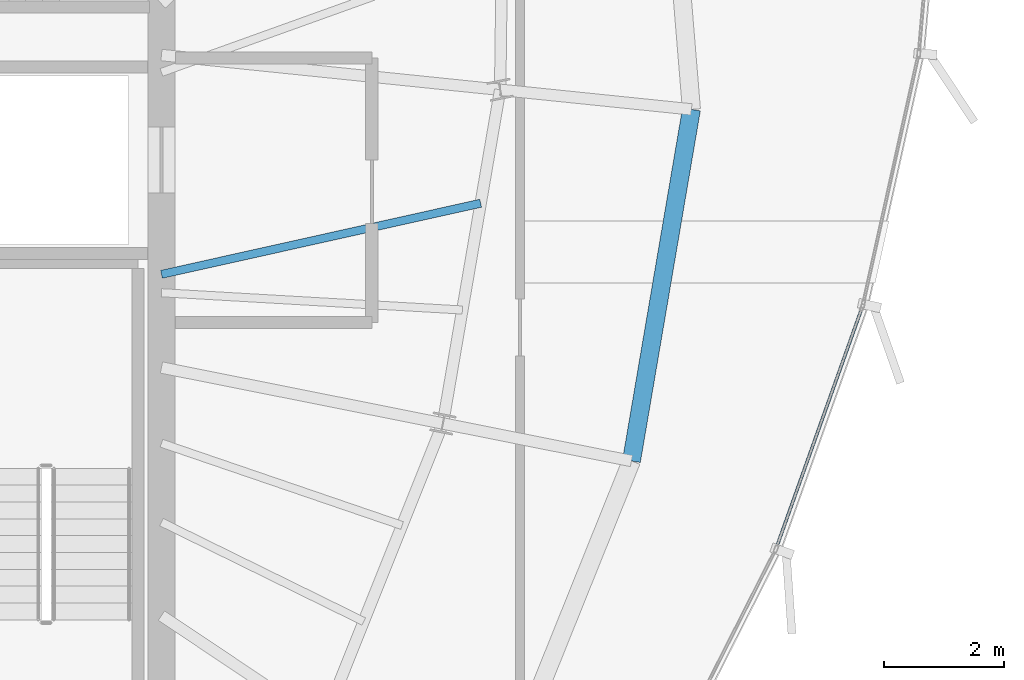
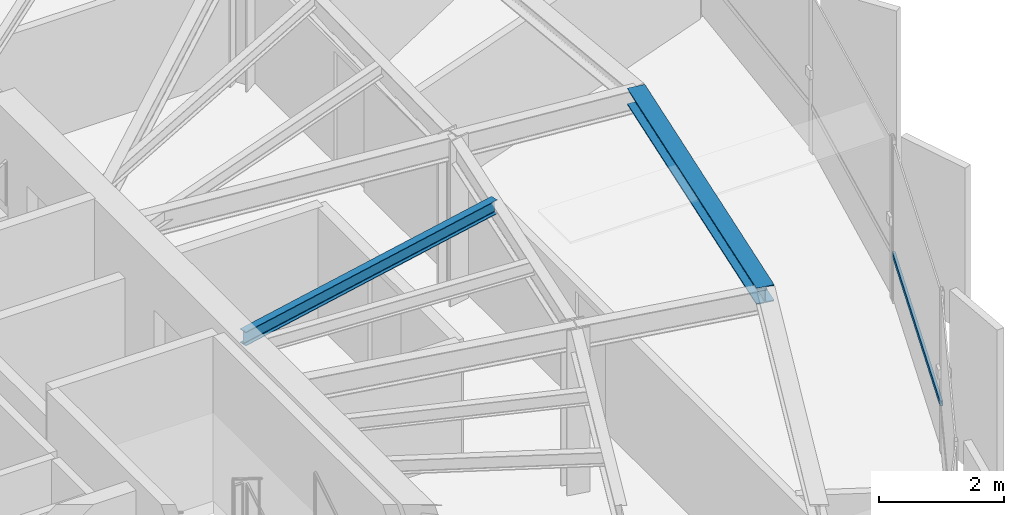
# One storey, part 15 of 36: 2 beams, 1 member, 1 element without a shape of its own.
"""IFC4 building model written with IfcOpenShell, lengths in metres."""

from ifc_helpers import new_model, si_unit, direction, frame, origin, origin_2d, place, context, subcontext, project, spatial, hollow_rectangle, i_section, extrude, source, transform, mapped, material, layer, layer_set, material_profile, profile_set, type_object, element, aggregate, save


model = new_model("IFC4")

# Units and contexts
model_context = context("Model", 3, precision=1e-05, world=origin(), true_north=direction((0.0, 1.0)))
body_context = subcontext(model_context, "Body", "Model", "MODEL_VIEW")
ifc_project = project(units=[si_unit("LENGTHUNIT", "METRE"), si_unit("AREAUNIT", "SQUARE_METRE"), si_unit("VOLUMEUNIT", "CUBIC_METRE"), si_unit("PLANEANGLEUNIT", "RADIAN"), si_unit("MASSUNIT", "GRAM", prefix="KILO"), si_unit("THERMODYNAMICTEMPERATUREUNIT", "KELVIN")], contexts=[model_context])

# Site, building, storey
site_placement = place(None, origin())
site = spatial("IfcSite", under=ifc_project, at=site_placement, CompositionType="ELEMENT")
building_placement = place(site_placement, origin())
building = spatial("IfcBuilding", under=site, at=building_placement, Name="Kethvar Cultural Tower", CompositionType="ELEMENT")
storey_placement = place(building_placement, frame((0.0, 0.0, 242.199951171875)))
storey = spatial("IfcBuildingStorey", under=building, at=storey_placement, Name="L63", CompositionType="ELEMENT", Elevation=242.199951171875)

# Beams
ifc_material_1 = material(Name="Steel S355J2", Category="steel")
ifc_material_profile_1 = material_profile(ifc_material_1, i_section(OverallWidth=0.300048828125, OverallDepth=0.320068359375, WebThickness=0.011474609375, FlangeThickness=0.0205078125, FilletRadius=0.027099609375, at=origin_2d()), Name="Steel S355J2 — HEB320")
ifc_profile_set_1 = profile_set([ifc_material_profile_1], Name="Steel S355J2 — HEB320")
beam_type_1 = type_object("IfcBeamType", Name="BM-SP320", PredefinedType="SPANDREL", material=ifc_profile_set_1)
shared_shape_1 = source(origin(), body_context, "Body", "SweptSolid", [
    extrude(i_section(OverallWidth=0.300048828125, OverallDepth=0.320068359375, WebThickness=0.011474609375, FlangeThickness=0.0205078125, FilletRadius=0.027099609375, at=origin_2d()), origin(), (0.0, 0.0, 1.0), 5.93603515625),
])
beam_1_placement = place(storey_placement, frame((63.422119140625, 24.49365234375, 3.048095703125), z_axis=(0.16817267321, 0.985757552335, 0.0), x_axis=(-0.985757552335, 0.16817267321, 0.0)))
element("IfcBeam", 1, at=beam_1_placement, inside=storey, type_object=beam_type_1, Name="L63 Perimeter Spandrel Beam SP-16", PredefinedType="SPANDREL", context=body_context, shape_type="MappedRepresentation", body=[
    mapped(shared_shape_1, transform((0.0, 0.0, 0.0), scale=1.0)),
])
ifc_material_profile_2 = material_profile(ifc_material_1, i_section(OverallWidth=0.135009765625, OverallDepth=0.27001953125, WebThickness=0.006591796875, FlangeThickness=0.01025390625, FilletRadius=0.014892578125, at=origin_2d()), Name="Steel S355J2 — IPE270")
ifc_profile_set_2 = profile_set([ifc_material_profile_2], Name="Steel S355J2 — IPE270")
beam_type_2 = type_object("IfcBeamType", Name="BM-J270", PredefinedType="JOIST", material=ifc_profile_set_2)
shared_shape_2 = source(origin(), body_context, "Body", "SweptSolid", [
    extrude(i_section(OverallWidth=0.135009765625, OverallDepth=0.27001953125, WebThickness=0.006591796875, FlangeThickness=0.01025390625, FilletRadius=0.014892578125, at=origin_2d()), origin(), (0.0, 0.0, 1.0), 5.44287109375),
])
beam_2_placement = place(storey_placement, frame((55.60009765625, 27.60009765625, 3.072998046875), z_axis=(0.976080346759, 0.217410111702, 0.0), x_axis=(-0.217410111702, 0.976080346759, 0.0)))
element("IfcBeam", 2, at=beam_2_placement, inside=storey, type_object=beam_type_2, Name="L63 Composite Floor Joist J-16B", PredefinedType="JOIST", context=body_context, shape_type="MappedRepresentation", body=[
    mapped(shared_shape_2, transform((0.0, 0.0, 0.0), scale=1.0)),
])

# Curtain wall, member
ifc_material_2 = material(Name="Aluminium 6063-T6", Category="aluminium")
ifc_layer = layer(ifc_material_2, 0.179931640625, Name="Aluminium 6063-T6", Category="aluminium")
ifc_layer_set = layer_set([ifc_layer], Name="Aluminium 6063-T6 (180 mm)")
curtain_wall_type = type_object("IfcCurtainWallType", Name="CW-SYS-05-Z56", PredefinedType="NOTDEFINED", material=ifc_layer_set)
curtain_wall_placement = place(storey_placement, origin())
curtain_wall = element("IfcCurtainWall", 3, at=curtain_wall_placement, inside=storey, type_object=curtain_wall_type, Name="L63 Curtain Wall Run 05", PredefinedType="NOTDEFINED")
ifc_material_profile_3 = material_profile(ifc_material_2, hollow_rectangle(XDim=0.050048828125, YDim=0.10009765625, WallThickness=0.00390625, at=origin_2d()), Name="Aluminium 6063-T6 — RHS100x50x4")
ifc_profile_set_3 = profile_set([ifc_material_profile_3], Name="Aluminium 6063-T6 — RHS100x50x4")
member_type = type_object("IfcMemberType", Name="CW-SYS-05-Z56-TRN", PredefinedType="USERDEFINED", material=ifc_profile_set_3)
shared_shape_3 = source(origin(), body_context, "Body", "SweptSolid", [
    extrude(hollow_rectangle(XDim=0.050048828125, YDim=0.10009765625, WallThickness=0.00390625, at=origin_2d()), origin(), (0.0, 0.0, 1.0), 4.223388671875),
])
member_placement = place(storey_placement, frame((65.840087890625, 23.066162109375, 0.949951171875), z_axis=(0.336032434672, 0.941850414263, 0.0), x_axis=(-0.941850414263, 0.336032434672, 0.0)))
member = element("IfcMember", 4, at=member_placement, type_object=member_type, Name="CW-L63-R05 Transom 6", ObjectType="TRANSOM", PredefinedType="USERDEFINED", context=body_context, shape_type="MappedRepresentation", body=[
    mapped(shared_shape_3, transform((0.0, 0.0, 0.0), scale=1.0)),
])
aggregate(curtain_wall, [member])

save(model, "model.ifc")
